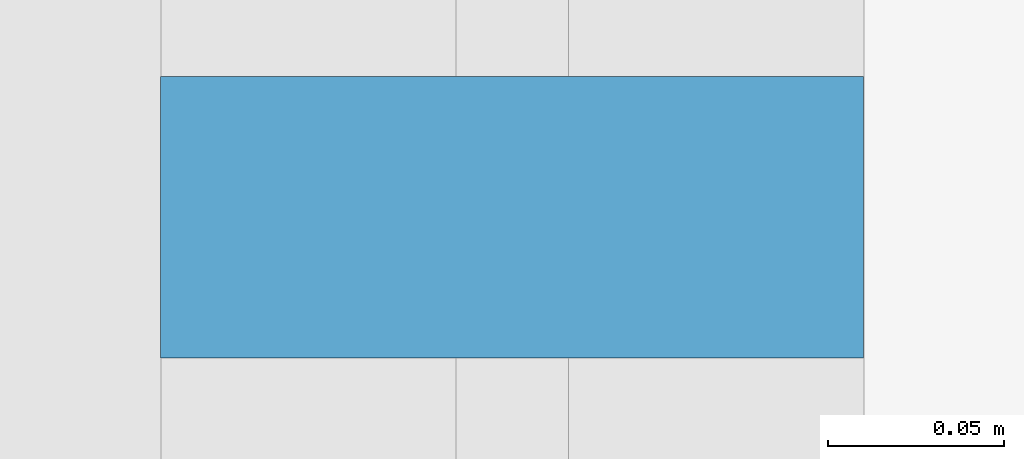
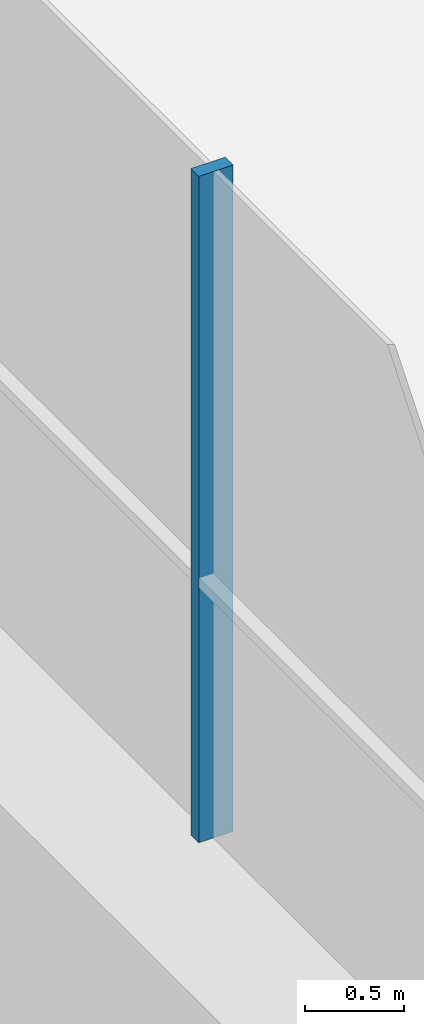
# One storey, part 7 of 52: 1 member, 1 element without a shape of its own.
"""IFC4 building model written with IfcOpenShell, lengths in metres."""

from ifc_helpers import new_model, si_unit, direction, frame, origin, origin_2d, place, context, subcontext, project, spatial, rectangle, extrude, material, layer, layer_set, material_profile, profile_set, type_object, element, aggregate, save


model = new_model("IFC4")

# Units and contexts
model_context = context("Model", 3, precision=1e-05, world=origin(), true_north=direction((0.0, 1.0)))
body_context = subcontext(model_context, "Body", "Model", "MODEL_VIEW")
ifc_project = project(units=[si_unit("LENGTHUNIT", "METRE"), si_unit("AREAUNIT", "SQUARE_METRE"), si_unit("VOLUMEUNIT", "CUBIC_METRE"), si_unit("PLANEANGLEUNIT", "RADIAN"), si_unit("MASSUNIT", "GRAM", prefix="KILO")], contexts=[model_context])

# Site, building, storey
site_placement = place(None, origin())
site = spatial("IfcSite", under=ifc_project, at=site_placement, CompositionType="ELEMENT")
building_placement = place(site_placement, origin())
building = spatial("IfcBuilding", under=site, at=building_placement, Name="Tamarind Cross Interchange Tower", CompositionType="ELEMENT")
storey_placement = place(building_placement, frame((0.0, 0.0, 9.0)))
storey = spatial("IfcBuildingStorey", under=building, at=storey_placement, Name="L01", CompositionType="ELEMENT", Elevation=9.0)

# Curtain wall, member
ifc_material = material(Name="Aluminium 6063-T6", Category="aluminium")
ifc_layer = layer(ifc_material, 0.199951171875)
ifc_layer_set = layer_set([ifc_layer], Name="Aluminium 6063-T6")
curtain_wall_type = type_object("IfcCurtainWallType", Name="Podium shopfront and station curtain wall", PredefinedType="NOTDEFINED", material=ifc_layer_set)
curtain_wall_placement = place(storey_placement, origin())
curtain_wall = element("IfcCurtainWall", 1, at=curtain_wall_placement, inside=storey, type_object=curtain_wall_type, Name="CWS-L01-04", PredefinedType="NOTDEFINED")
ifc_material_profile = material_profile(ifc_material, rectangle(XDim=0.080078125, YDim=0.199951171875, at=origin_2d()), Name="Mullion CW3")
ifc_profile_set = profile_set([ifc_material_profile], Name="Aluminium 6063-T6")
member_type = type_object("IfcMemberType", Name="Mullion CW3", PredefinedType="MULLION", material=ifc_profile_set)
member_placement = place(storey_placement, frame((-67.800048828125, 4.415283203125, 1.39990234375), z_axis=(0.0, 0.0, 1.0), x_axis=(0.0, -1.0, 0.0)))
member = element("IfcMember", 2, at=member_placement, type_object=member_type, Name="CWM-L01-04-11", PredefinedType="MULLION", context=body_context, shape_type="SweptSolid", body=[
    extrude(rectangle(XDim=0.080078125, YDim=0.199951171875, at=origin_2d()), origin(), (0.0, 0.0, 1.0), 4.10009765625),
])
aggregate(curtain_wall, [member])

save(model, "model.ifc")
